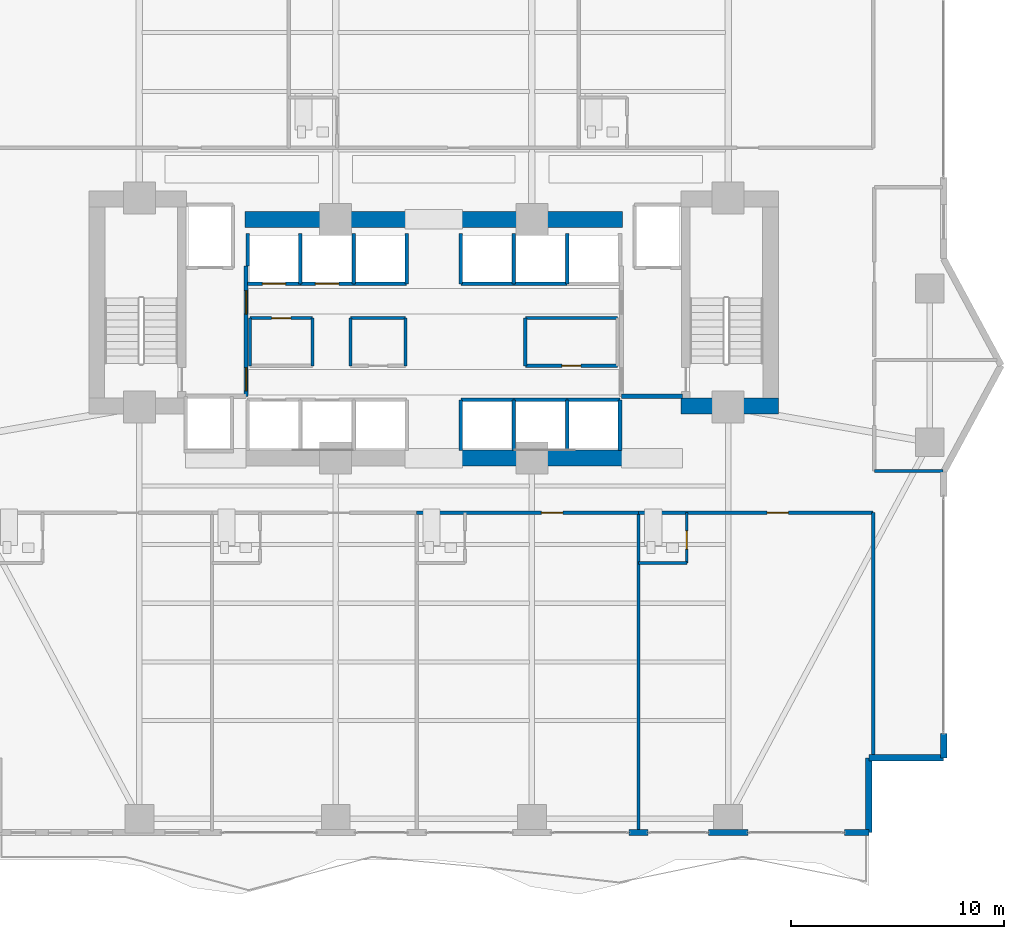
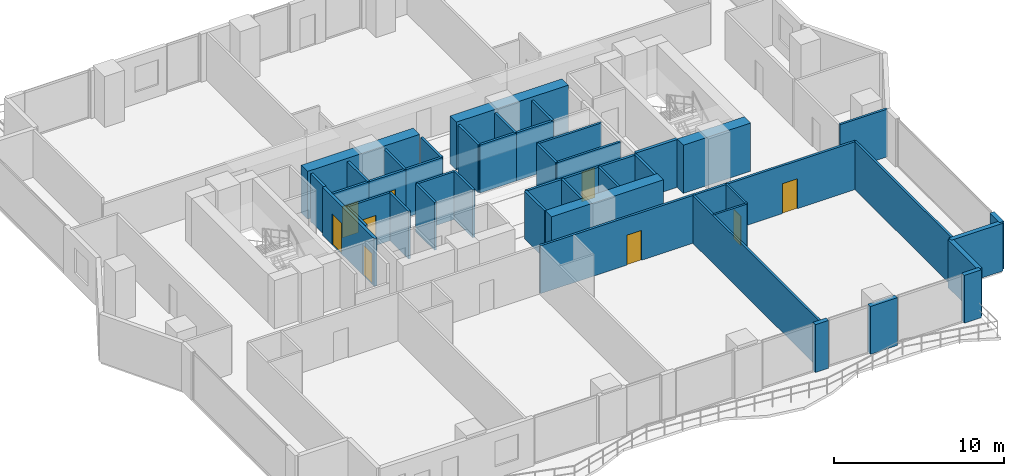
# One storey, part 22 of 28: 47 walls, 9 doors, 9 openings.
"""IFC4 building model written with IfcOpenShell, lengths in metres."""

from ifc_helpers import new_model, si_unit, direction, frame, frame_2d, origin, place, context, subcontext, project, spatial, rectangle, extrude, material, layer, layer_set, type_object, element, fill, save


model = new_model("IFC4")

# Units and contexts
model_context = context("Model", 3, precision=1e-05, world=origin(), true_north=direction((0.0, 1.0)))
body_context = subcontext(model_context, "Body", "Model", "MODEL_VIEW")
ifc_project = project(units=[si_unit("LENGTHUNIT", "METRE"), si_unit("AREAUNIT", "SQUARE_METRE"), si_unit("VOLUMEUNIT", "CUBIC_METRE"), si_unit("PLANEANGLEUNIT", "RADIAN"), si_unit("MASSUNIT", "GRAM", prefix="KILO")], contexts=[model_context])

# Site, building, storey
site_placement = place(None, origin())
site = spatial("IfcSite", under=ifc_project, at=site_placement, CompositionType="ELEMENT")
building_placement = place(site_placement, origin())
building = spatial("IfcBuilding", under=site, at=building_placement, Name="Zuhayl Quay Hotel", CompositionType="ELEMENT")
storey_placement = place(building_placement, frame((0.0, 0.0, 146.75)))
storey = spatial("IfcBuildingStorey", under=building, at=storey_placement, Name="L37", CompositionType="ELEMENT", Elevation=146.75)

# Walls
ifc_material_1 = material(Name="Concrete C60/75", Category="concrete")
ifc_layer_1 = layer(ifc_material_1, 0.75, Name="Concrete C60/75", Category="concrete")
ifc_layer_set_1 = layer_set([ifc_layer_1], Name="Concrete C60/75")
wall_type_1 = type_object("IfcWallType", Name="WL_CORE_750", PredefinedType="SHEAR", material=ifc_layer_set_1)
wall_1_placement = place(storey_placement, frame((11.60009765625, 4.594970703125, 0.0), z_axis=(0.0, 0.0, 1.0), x_axis=(1.0, 0.0, 0.0)))
element("IfcWall", 1, at=wall_1_placement, inside=storey, type_object=wall_type_1, Name="L37 Core Shear Wall CW_SE", PredefinedType="SHEAR", context=body_context, shape_type="SweptSolid", body=[
    extrude(rectangle(XDim=4.559814453125, YDim=0.75, at=frame_2d((2.27978515625, 0.0))), origin(), (0.0, 0.0, 1.0), 3.4599609375),
])
for number, where, z_axis, x_axis, name in (
    (2, (1.25, 2.14990234375, 0.0), (0.0, 0.0, 1.0), (1.0, 0.0, 0.0), "L37 Core Shear Wall CW_SC_E"),
    (3, (-8.85009765625, 13.35009765625, 0.0), (0.0, 0.0, 1.0), (1.0, 0.0, 0.0), "L37 Core Shear Wall CW_NC_W"),
    (4, (1.25, 13.35009765625, 0.0), (0.0, 0.0, 1.0), (1.0, 0.0, 0.0), "L37 Core Shear Wall CW_NC_E"),
):
    element("IfcWall", number, at=place(storey_placement, frame(where, z_axis=z_axis, x_axis=x_axis)), inside=storey, type_object=wall_type_1, Name=name, PredefinedType="SHEAR", context=body_context, shape_type="SweptSolid", body=[
        extrude(rectangle(XDim=7.60009765625, YDim=0.75, at=frame_2d((3.800048828125, 0.0))), origin(), (0.0, 0.0, 1.0), 3.429931640625),
    ])
ifc_material_2 = material(Name="Precast concrete C45/55", Category="concrete")
ifc_layer_2 = layer(ifc_material_2, 0.300048828125, Name="Precast concrete C45/55", Category="concrete")
ifc_layer_set_2 = layer_set([ifc_layer_2], Name="Precast concrete C45/55")
wall_type_2 = type_object("IfcWallType", Name="WL_EXT_300", PredefinedType="STANDARD", material=ifc_layer_set_2)
wall_2_placement = place(storey_placement, frame((23.89990234375, -10.75, 0.0), z_axis=(0.0, 0.0, 1.0), x_axis=(0.0, -1.0, 0.0)))
element("IfcWall", 5, at=wall_2_placement, inside=storey, type_object=wall_type_2, Name="L37 Exterior Precast Wall ENV_L37_E14_EW2", PredefinedType="STANDARD", context=body_context, shape_type="SweptSolid", body=[
    extrude(rectangle(XDim=1.14990234375, YDim=0.300048828125, at=frame_2d((0.574951171875, 0.0))), origin(), (0.0, 0.0, 1.0), 3.429931640625),
])
for number, where, z_axis, x_axis, name in (
    (6, (23.89990234375, -11.89990234375, 0.0), (0.0, 0.0, 1.0), (-1.0, 0.0, 0.0), "L37 Exterior Precast Wall ENV_L37_EW15"),
    (7, (20.39990234375, -11.89990234375, 0.0), (0.0, 0.0, 1.0), (0.0, -1.0, 0.0), "L37 Exterior Precast Wall ENV_L37_EW16"),
):
    element("IfcWall", number, at=place(storey_placement, frame(where, z_axis=z_axis, x_axis=x_axis)), inside=storey, type_object=wall_type_2, Name=name, PredefinedType="STANDARD", context=body_context, shape_type="SweptSolid", body=[
        extrude(rectangle(XDim=3.5, YDim=0.300048828125, at=frame_2d((1.75, 0.0))), origin(), (0.0, 0.0, 1.0), 3.429931640625),
    ])
wall_3_placement = place(storey_placement, frame((20.39990234375, -15.39990234375, 0.0), z_axis=(0.0, 0.0, 1.0), x_axis=(-1.0, 0.0, 0.0)))
element("IfcWall", 8, at=wall_3_placement, inside=storey, type_object=wall_type_2, Name="L37 Exterior Precast Wall ENV_L37_S_EW1", PredefinedType="STANDARD", context=body_context, shape_type="SweptSolid", body=[
    extrude(rectangle(XDim=1.14990234375, YDim=0.300048828125, at=frame_2d((0.574951171875, 0.0))), origin(), (0.0, 0.0, 1.0), 3.429931640625),
])
wall_4_placement = place(storey_placement, frame((14.719970703125, -15.39990234375, 0.0), z_axis=(0.0, 0.0, 1.0), x_axis=(-1.0, 0.0, 0.0)))
element("IfcWall", 9, at=wall_4_placement, inside=storey, type_object=wall_type_2, Name="L37 Exterior Precast Wall ENV_L37_S_EW2", PredefinedType="STANDARD", context=body_context, shape_type="SweptSolid", body=[
    extrude(rectangle(XDim=1.840087890625, YDim=0.300048828125, at=frame_2d((0.919921875, 0.0))), origin(), (0.0, 0.0, 1.0), 3.429931640625),
])
wall_5_placement = place(storey_placement, frame((10.050048828125, -15.39990234375, 0.0), z_axis=(0.0, 0.0, 1.0), x_axis=(-1.0, 0.0, 0.0)))
element("IfcWall", 10, at=wall_5_placement, inside=storey, type_object=wall_type_2, Name="L37 Exterior Precast Wall ENV_L37_S_EW3", PredefinedType="STANDARD", context=body_context, shape_type="SweptSolid", body=[
    extrude(rectangle(XDim=0.900146484375, YDim=0.300048828125, at=frame_2d((0.4501953125, 0.0))), origin(), (0.0, 0.0, 1.0), 3.429931640625),
])

# Wall, opening, door
ifc_material_3 = material(Name="Acoustic Gypsum Partition STC-58")
ifc_layer_3 = layer(ifc_material_3, 0.14990234375, Name="Acoustic Gypsum Partition STC-58")
ifc_layer_set_3 = layer_set([ifc_layer_3], Name="Acoustic Gypsum Partition STC-58")
wall_type_3 = type_object("IfcWallType", Name="WL_PART_150", PredefinedType="PARTITIONING", material=ifc_layer_set_3)
wall_6_placement = place(storey_placement, frame((-8.610107421875, 8.719970703125, 0.0), z_axis=(0.0, 0.0, 1.0), x_axis=(1.0, 0.0, 0.0)))
wall_6 = element("IfcWall", 11, at=wall_6_placement, inside=storey, type_object=wall_type_3, Name="L37 Partition IW_L37_CORE_HK_N", PredefinedType="PARTITIONING", context=body_context, shape_type="SweptSolid", body=[
    extrude(rectangle(XDim=2.920166015625, YDim=0.14990234375, at=frame_2d((1.4599609375, 0.0))), origin(), (0.0, 0.0, 1.0), 3.429931640625),
])
opening_1_placement = place(wall_6_placement, frame((1.010009765625, 0.0, 0.0)))
opening_1 = element("IfcOpeningElement", 12, at=opening_1_placement, cuts=wall_6, Name="Opening D06", PredefinedType="OPENING", context=body_context, shape_type="SweptSolid", body=[
    extrude(rectangle(XDim=0.89990234375, YDim=2.14990234375, at=frame_2d((0.449951171875, 1.074951171875))), frame((0.0, 0.0849609375, 0.0), z_axis=(0.0, -1.0, 0.0), x_axis=(1.0, 0.0, 0.0)), (0.0, 0.0, 1.0), 0.169921875),
])
ifc_material_4 = material(Name="Steel ASTM A992 Grade 50", Category="steel")
door_type_1 = type_object("IfcDoorType", Name="DR_INT_900", OperationType="NOTDEFINED", PredefinedType="DOOR", material=ifc_material_4)
door_1_placement = place(opening_1_placement, origin())
door_1 = element("IfcDoor", 13, at=door_1_placement, inside=storey, type_object=door_type_1, Name="L37 Core Housekeeping Store Door", OperationType="SINGLE_SWING_LEFT", OverallHeight=2.14990234375, OverallWidth=0.89990234375, PredefinedType="DOOR", context=body_context, shape_type="SweptSolid", body=[
    extrude(rectangle(XDim=0.89990234375, YDim=2.14990234375, at=frame_2d((0.449951171875, 1.074951171875))), frame((0.0, 0.02490234375, 0.0), z_axis=(0.0, -1.0, 0.0), x_axis=(1.0, 0.0, 0.0)), (0.0, 0.0, 1.0), 0.050048828125),
])
fill(opening_1, door_1)

wall_7_placement = place(storey_placement, frame((4.2900390625, 6.47998046875, 0.0), z_axis=(0.0, 0.0, 1.0), x_axis=(1.0, 0.0, 0.0)))
wall_7 = element("IfcWall", 14, at=wall_7_placement, inside=storey, type_object=wall_type_3, Name="L37 Partition IW_L37_CORE_VL_S", PredefinedType="PARTITIONING", context=body_context, shape_type="SweptSolid", body=[
    extrude(rectangle(XDim=4.320068359375, YDim=0.14990234375, at=frame_2d((2.16015625, 0.0))), origin(), (0.0, 0.0, 1.0), 3.429931640625),
])
opening_2_placement = place(wall_7_placement, frame((1.7099609375, 0.0, 0.0)))
opening_2 = element("IfcOpeningElement", 15, at=opening_2_placement, cuts=wall_7, Name="Opening D06", PredefinedType="OPENING", context=body_context, shape_type="SweptSolid", body=[
    extrude(rectangle(XDim=0.89990234375, YDim=2.14990234375, at=frame_2d((0.449951171875, 1.074951171875))), frame((0.0, 0.0849609375, 0.0), z_axis=(0.0, -1.0, 0.0), x_axis=(1.0, 0.0, 0.0)), (0.0, 0.0, 1.0), 0.169921875),
])
door_2_placement = place(opening_2_placement, origin())
door_2 = element("IfcDoor", 16, at=door_2_placement, inside=storey, type_object=door_type_1, Name="L37 Floor Valet Store Door", OperationType="SINGLE_SWING_LEFT", OverallHeight=2.14990234375, OverallWidth=0.89990234375, PredefinedType="DOOR", context=body_context, shape_type="SweptSolid", body=[
    extrude(rectangle(XDim=0.89990234375, YDim=2.14990234375, at=frame_2d((0.449951171875, 1.074951171875))), frame((0.0, 0.02490234375, 0.0), z_axis=(0.0, -1.0, 0.0), x_axis=(1.0, 0.0, 0.0)), (0.0, 0.0, 1.0), 0.050048828125),
])
fill(opening_2, door_2)

# Walls
for number, where, z_axis, x_axis, name in (
    (17, (-8.610107421875, 6.47998046875, 0.0), (0.0, 0.0, 1.0), (0.0, 1.0, 0.0), "L37 Partition IW_L37_CORE_HK_W"),
    (18, (-5.68994140625, 6.47998046875, 0.0), (0.0, 0.0, 1.0), (0.0, 1.0, 0.0), "L37 Partition IW_L37_CORE_HK_E"),
):
    element("IfcWall", number, at=place(storey_placement, frame(where, z_axis=z_axis, x_axis=x_axis)), inside=storey, type_object=wall_type_3, Name=name, PredefinedType="PARTITIONING", context=body_context, shape_type="SweptSolid", body=[
        extrude(rectangle(XDim=2.239990234375, YDim=0.14990234375, at=frame_2d((1.1201171875, 0.0))), origin(), (0.0, 0.0, 1.0), 3.429931640625),
    ])
wall_8_placement = place(storey_placement, frame((-3.909912109375, 8.719970703125, 0.0), z_axis=(0.0, 0.0, 1.0), x_axis=(1.0, 0.0, 0.0)))
element("IfcWall", 19, at=wall_8_placement, inside=storey, type_object=wall_type_3, Name="L37 Partition IW_L37_CORE_BC_N", PredefinedType="PARTITIONING", context=body_context, shape_type="SweptSolid", body=[
    extrude(rectangle(XDim=2.58984375, YDim=0.14990234375, at=frame_2d((1.294921875, 0.0))), origin(), (0.0, 0.0, 1.0), 3.429931640625),
])
for number, where, z_axis, x_axis, name in (
    (20, (-3.909912109375, 6.47998046875, 0.0), (0.0, 0.0, 1.0), (0.0, 1.0, 0.0), "L37 Partition IW_L37_CORE_BC_W"),
    (21, (-1.320068359375, 6.47998046875, 0.0), (0.0, 0.0, 1.0), (0.0, 1.0, 0.0), "L37 Partition IW_L37_CORE_BC_E"),
):
    element("IfcWall", number, at=place(storey_placement, frame(where, z_axis=z_axis, x_axis=x_axis)), inside=storey, type_object=wall_type_3, Name=name, PredefinedType="PARTITIONING", context=body_context, shape_type="SweptSolid", body=[
        extrude(rectangle(XDim=2.239990234375, YDim=0.14990234375, at=frame_2d((1.1201171875, 0.0))), origin(), (0.0, 0.0, 1.0), 3.429931640625),
    ])
wall_9_placement = place(storey_placement, frame((4.2900390625, 8.719970703125, 0.0), z_axis=(0.0, 0.0, 1.0), x_axis=(1.0, 0.0, 0.0)))
element("IfcWall", 22, at=wall_9_placement, inside=storey, type_object=wall_type_3, Name="L37 Partition IW_L37_CORE_VL_N", PredefinedType="PARTITIONING", context=body_context, shape_type="SweptSolid", body=[
    extrude(rectangle(XDim=4.320068359375, YDim=0.14990234375, at=frame_2d((2.16015625, 0.0))), origin(), (0.0, 0.0, 1.0), 3.429931640625),
])
wall_10_placement = place(storey_placement, frame((4.2900390625, 6.47998046875, 0.0), z_axis=(0.0, 0.0, 1.0), x_axis=(0.0, 1.0, 0.0)))
element("IfcWall", 23, at=wall_10_placement, inside=storey, type_object=wall_type_3, Name="L37 Partition IW_L37_CORE_VL_W", PredefinedType="PARTITIONING", context=body_context, shape_type="SweptSolid", body=[
    extrude(rectangle(XDim=2.239990234375, YDim=0.14990234375, at=frame_2d((1.1201171875, 0.0))), origin(), (0.0, 0.0, 1.0), 3.429931640625),
])
wall_11_placement = place(storey_placement, frame((9.60009765625, -15.320068359375, 0.0), z_axis=(0.0, 0.0, 1.0), x_axis=(0.0, 1.0, 0.0)))
element("IfcWall", 24, at=wall_11_placement, inside=storey, type_object=wall_type_3, Name="L37 Partition IW_L37_SU03_E", PredefinedType="PARTITIONING", context=body_context, shape_type="SweptSolid", body=[
    extrude(rectangle(XDim=14.920166015625, YDim=0.14990234375, at=frame_2d((7.4599609375, 0.0))), origin(), (0.0, 0.0, 1.0), 3.429931640625),
])
wall_12_placement = place(storey_placement, frame((20.60009765625, -11.89990234375, 0.0), z_axis=(0.0, 0.0, 1.0), x_axis=(0.0, 1.0, 0.0)))
element("IfcWall", 25, at=wall_12_placement, inside=storey, type_object=wall_type_3, Name="L37 Partition IW_L37_SU04_E", PredefinedType="PARTITIONING", context=body_context, shape_type="SweptSolid", body=[
    extrude(rectangle(XDim=11.5, YDim=0.14990234375, at=frame_2d((5.75, 0.0))), origin(), (0.0, 0.0, 1.0), 3.429931640625),
])
wall_13_placement = place(storey_placement, frame((20.64990234375, 1.550048828125, 0.0), z_axis=(0.0, 0.0, 1.0), x_axis=(1.0, 0.0, 0.0)))
element("IfcWall", 26, at=wall_13_placement, inside=storey, type_object=wall_type_3, Name="L37 Partition IW_L37_HK_MAIN_S", PredefinedType="PARTITIONING", context=body_context, shape_type="SweptSolid", body=[
    extrude(rectangle(XDim=3.217041015625, YDim=0.14990234375, at=frame_2d((1.6083984375, 0.0))), origin(), (0.0, 0.0, 1.0), 3.429931640625),
])

# Wall, opening, door
ifc_layer_4 = layer(ifc_material_3, 0.159912109375, Name="Acoustic Gypsum Partition STC-58")
ifc_layer_set_4 = layer_set([ifc_layer_4], Name="Acoustic Gypsum Partition STC-58")
wall_type_4 = type_object("IfcWallType", Name="WL_PART_CORR_160", PredefinedType="PARTITIONING", material=ifc_layer_set_4)
wall_14_placement = place(storey_placement, frame((-0.800048828125, -0.39990234375, 0.0), z_axis=(0.0, 0.0, 1.0), x_axis=(1.0, 0.0, 0.0)))
wall_14 = element("IfcWall", 27, at=wall_14_placement, inside=storey, type_object=wall_type_4, Name="L37 Partition IW_L37_SU03_COR", PredefinedType="PARTITIONING", context=body_context, shape_type="SweptSolid", body=[
    extrude(rectangle(XDim=10.400146484375, YDim=0.159912109375, at=frame_2d((5.2001953125, 0.0))), origin(), (0.0, 0.0, 1.0), 3.429931640625),
])
opening_3_placement = place(wall_14_placement, frame((5.85009765625, 0.0, 0.0)))
opening_3 = element("IfcOpeningElement", 28, at=opening_3_placement, cuts=wall_14, Name="Opening D03L", PredefinedType="OPENING", context=body_context, shape_type="SweptSolid", body=[
    extrude(rectangle(XDim=1.0, YDim=2.14990234375, at=frame_2d((0.5, 1.074951171875))), frame((0.0, 0.08984375, 0.0), z_axis=(0.0, -1.0, 0.0), x_axis=(1.0, 0.0, 0.0)), (0.0, 0.0, 1.0), 0.179931640625),
])
ifc_material_5 = material(Name="Solid Walnut Acoustic Fire Door")
door_type_2 = type_object("IfcDoorType", Name="DR_SUITE_1000", OperationType="NOTDEFINED", PredefinedType="DOOR", material=ifc_material_5)
door_3_placement = place(opening_3_placement, origin())
door_3 = element("IfcDoor", 29, at=door_3_placement, inside=storey, type_object=door_type_2, Name="L37 City-View Junior Suite L37-03 Entrance Door", OperationType="SINGLE_SWING_RIGHT", OverallHeight=2.14990234375, OverallWidth=1.0, PredefinedType="DOOR", context=body_context, shape_type="SweptSolid", body=[
    extrude(rectangle(XDim=1.0, YDim=2.14990234375, at=frame_2d((0.5, 1.074951171875))), frame((0.0, 0.02490234375, 0.0), z_axis=(0.0, -1.0, 0.0), x_axis=(1.0, 0.0, 0.0)), (0.0, 0.0, 1.0), 0.050048828125),
])
fill(opening_3, door_3)

wall_15_placement = place(storey_placement, frame((9.60009765625, -0.39990234375, 0.0), z_axis=(0.0, 0.0, 1.0), x_axis=(1.0, 0.0, 0.0)))
wall_15 = element("IfcWall", 30, at=wall_15_placement, inside=storey, type_object=wall_type_4, Name="L37 Partition IW_L37_SU04_COR", PredefinedType="PARTITIONING", context=body_context, shape_type="SweptSolid", body=[
    extrude(rectangle(XDim=11.0, YDim=0.159912109375, at=frame_2d((5.5, 0.0))), origin(), (0.0, 0.0, 1.0), 3.429931640625),
])
opening_4_placement = place(wall_15_placement, frame((6.02490234375, 0.0, 0.0)))
opening_4 = element("IfcOpeningElement", 31, at=opening_4_placement, cuts=wall_15, Name="Opening D03L", PredefinedType="OPENING", context=body_context, shape_type="SweptSolid", body=[
    extrude(rectangle(XDim=1.0, YDim=2.14990234375, at=frame_2d((0.5, 1.074951171875))), frame((0.0, 0.08984375, 0.0), z_axis=(0.0, -1.0, 0.0), x_axis=(1.0, 0.0, 0.0)), (0.0, 0.0, 1.0), 0.179931640625),
])
door_4_placement = place(opening_4_placement, origin())
door_4 = element("IfcDoor", 32, at=door_4_placement, inside=storey, type_object=door_type_2, Name="L37 City-View Junior Suite L37-04 Entrance Door", OperationType="SINGLE_SWING_RIGHT", OverallHeight=2.14990234375, OverallWidth=1.0, PredefinedType="DOOR", context=body_context, shape_type="SweptSolid", body=[
    extrude(rectangle(XDim=1.0, YDim=2.14990234375, at=frame_2d((0.5, 1.074951171875))), frame((0.0, 0.02490234375, 0.0), z_axis=(0.0, -1.0, 0.0), x_axis=(1.0, 0.0, 0.0)), (0.0, 0.0, 1.0), 0.050048828125),
])
fill(opening_4, door_4)

ifc_material_6 = material(Name="Moisture-Resistant Sanitarychase Gypsum")
ifc_layer_5 = layer(ifc_material_6, 0.135009765625, Name="Moisture-Resistant Sanitarychase Gypsum")
ifc_layer_set_5 = layer_set([ifc_layer_5], Name="Moisture-Resistant Sanitarychase Gypsum")
wall_type_5 = type_object("IfcWallType", Name="WL_PART_PLUMB_150", PredefinedType="PLUMBINGWALL", material=ifc_layer_set_5)
wall_16_placement = place(storey_placement, frame((11.860107421875, -2.760009765625, 0.0), z_axis=(0.0, 0.0, 1.0), x_axis=(0.0, 1.0, 0.0)))
wall_16 = element("IfcWall", 33, at=wall_16_placement, inside=storey, type_object=wall_type_5, Name="L37 Partition IW_L37_SU04_BE", PredefinedType="PLUMBINGWALL", context=body_context, shape_type="SweptSolid", body=[
    extrude(rectangle(XDim=2.360107421875, YDim=0.135009765625, at=frame_2d((1.18017578125, 0.0))), origin(), (0.0, 0.0, 1.0), 3.429931640625),
])
opening_5_placement = place(wall_16_placement, frame((0.64990234375, 0.0, 0.0)))
opening_5 = element("IfcOpeningElement", 34, at=opening_5_placement, cuts=wall_16, Name="Opening D04", PredefinedType="OPENING", context=body_context, shape_type="SweptSolid", body=[
    extrude(rectangle(XDim=0.85009765625, YDim=2.10009765625, at=frame_2d((0.425048828125, 1.050048828125))), frame((0.0, 0.077392578125, 0.0), z_axis=(0.0, -1.0, 0.0), x_axis=(1.0, 0.0, 0.0)), (0.0, 0.0, 1.0), 0.155029296875),
])
ifc_material_7 = material(Name="Moisture-Resistant Walnut Veneer")
door_type_3 = type_object("IfcDoorType", Name="DR_BATH_850", OperationType="NOTDEFINED", PredefinedType="DOOR", material=ifc_material_7)
door_5_placement = place(opening_5_placement, origin())
door_5 = element("IfcDoor", 35, at=door_5_placement, inside=storey, type_object=door_type_3, Name="L37 City-View Junior Suite L37-04 En-Suite Door", OperationType="SINGLE_SWING_LEFT", OverallHeight=2.10009765625, OverallWidth=0.85009765625, PredefinedType="DOOR", context=body_context, shape_type="SweptSolid", body=[
    extrude(rectangle(XDim=0.85009765625, YDim=2.10009765625, at=frame_2d((0.425048828125, 1.050048828125))), frame((0.0, 0.02490234375, 0.0), z_axis=(0.0, -1.0, 0.0), x_axis=(1.0, 0.0, 0.0)), (0.0, 0.0, 1.0), 0.050048828125),
])
fill(opening_5, door_5)

# Wall
wall_17_placement = place(storey_placement, frame((9.60009765625, -2.760009765625, 0.0), z_axis=(0.0, 0.0, 1.0), x_axis=(1.0, 0.0, 0.0)))
element("IfcWall", 36, at=wall_17_placement, inside=storey, type_object=wall_type_5, Name="L37 Partition IW_L37_SU04_BS", PredefinedType="PLUMBINGWALL", context=body_context, shape_type="SweptSolid", body=[
    extrude(rectangle(XDim=2.260009765625, YDim=0.135009765625, at=frame_2d((1.1298828125, 0.0))), origin(), (0.0, 0.0, 1.0), 3.429931640625),
])

# Wall, opening, door
ifc_material_8 = material(Name="Gypsum Fireboard Assembly EI-90")
ifc_layer_6 = layer(ifc_material_8, 0.1650390625, Name="Gypsum Fireboard Assembly EI-90")
ifc_layer_set_6 = layer_set([ifc_layer_6], Name="Gypsum Fireboard Assembly EI-90")
wall_type_6 = type_object("IfcWallType", Name="WL_PART_SHAFT_160", PredefinedType="PARTITIONING", material=ifc_layer_set_6)
wall_18_placement = place(storey_placement, frame((-8.72998046875, 10.320068359375, 0.0), z_axis=(0.0, 0.0, 1.0), x_axis=(1.0, 0.0, 0.0)))
wall_18 = element("IfcWall", 37, at=wall_18_placement, inside=storey, type_object=wall_type_6, Name="L37 Partition IW_L37_SH_LP3_F", PredefinedType="PARTITIONING", context=body_context, shape_type="SweptSolid", body=[
    extrude(rectangle(XDim=2.47998046875, YDim=0.1650390625, at=frame_2d((1.239990234375, 0.0))), origin(), (0.0, 0.0, 1.0), 3.429931640625),
])
opening_6_placement = place(wall_18_placement, frame((0.68994140625, 0.0, 0.0)))
opening_6 = element("IfcOpeningElement", 38, at=opening_6_placement, cuts=wall_18, Name="Opening LD1", PredefinedType="OPENING", context=body_context, shape_type="SweptSolid", body=[
    extrude(rectangle(XDim=1.10009765625, YDim=2.25, at=frame_2d((0.550048828125, 1.125))), frame((0.0, 0.092529296875, 0.0), z_axis=(0.0, -1.0, 0.0), x_axis=(1.0, 0.0, 0.0)), (0.0, 0.0, 1.0), 0.18505859375),
])
ifc_material_9 = material(Name="Brushed Stainless Steel", Category="steel")
door_type_4 = type_object("IfcDoorType", Name="DR_LIFT_PASS_1100", OperationType="SLIDING_TO_LEFT", PredefinedType="DOOR", material=ifc_material_9)
door_6_placement = place(opening_6_placement, origin())
door_6 = element("IfcDoor", 39, at=door_6_placement, inside=storey, type_object=door_type_4, Name="L37 Lift LP3 Sliding Landing Door", OperationType="SLIDING_TO_LEFT", OverallHeight=2.25, OverallWidth=1.10009765625, PredefinedType="DOOR", context=body_context, shape_type="SweptSolid", body=[
    extrude(rectangle(XDim=1.10009765625, YDim=2.25, at=frame_2d((0.550048828125, 1.125))), frame((0.0, 0.02490234375, 0.0), z_axis=(0.0, -1.0, 0.0), x_axis=(1.0, 0.0, 0.0)), (0.0, 0.0, 1.0), 0.050048828125),
])
fill(opening_6, door_6)

wall_19_placement = place(storey_placement, frame((-6.25, 10.320068359375, 0.0), z_axis=(0.0, 0.0, 1.0), x_axis=(1.0, 0.0, 0.0)))
wall_19 = element("IfcWall", 40, at=wall_19_placement, inside=storey, type_object=wall_type_6, Name="L37 Partition IW_L37_SH_LP4_F", PredefinedType="PARTITIONING", context=body_context, shape_type="SweptSolid", body=[
    extrude(rectangle(XDim=2.5, YDim=0.1650390625, at=frame_2d((1.25, 0.0))), origin(), (0.0, 0.0, 1.0), 3.429931640625),
])
opening_7_placement = place(wall_19_placement, frame((0.699951171875, 0.0, 0.0)))
opening_7 = element("IfcOpeningElement", 41, at=opening_7_placement, cuts=wall_19, Name="Opening LD1", PredefinedType="OPENING", context=body_context, shape_type="SweptSolid", body=[
    extrude(rectangle(XDim=1.10009765625, YDim=2.25, at=frame_2d((0.550048828125, 1.125))), frame((0.0, 0.092529296875, 0.0), z_axis=(0.0, -1.0, 0.0), x_axis=(1.0, 0.0, 0.0)), (0.0, 0.0, 1.0), 0.18505859375),
])
door_7_placement = place(opening_7_placement, origin())
door_7 = element("IfcDoor", 42, at=door_7_placement, inside=storey, type_object=door_type_4, Name="L37 Lift LP4 Sliding Landing Door", OperationType="SLIDING_TO_LEFT", OverallHeight=2.25, OverallWidth=1.10009765625, PredefinedType="DOOR", context=body_context, shape_type="SweptSolid", body=[
    extrude(rectangle(XDim=1.10009765625, YDim=2.25, at=frame_2d((0.550048828125, 1.125))), frame((0.0, 0.02490234375, 0.0), z_axis=(0.0, -1.0, 0.0), x_axis=(1.0, 0.0, 0.0)), (0.0, 0.0, 1.0), 0.050048828125),
])
fill(opening_7, door_7)

# Walls
wall_20_placement = place(storey_placement, frame((-8.72998046875, 11.14990234375, 0.0), z_axis=(0.0, 0.0, 1.0), x_axis=(0.0, 1.0, 0.0)))
element("IfcWall", 43, at=wall_20_placement, inside=storey, type_object=wall_type_6, Name="L37 Partition IW_L37_SH_LP3_W", PredefinedType="PARTITIONING", context=body_context, shape_type="SweptSolid", body=[
    extrude(rectangle(XDim=1.530029296875, YDim=0.1650390625, at=frame_2d((0.76513671875, 0.0))), origin(), (0.0, 0.0, 1.0), 3.429931640625),
])
for number, where, z_axis, x_axis, name in (
    (44, (-6.25, 10.320068359375, 0.0), (0.0, 0.0, 1.0), (0.0, 1.0, 0.0), "L37 Partition IW_L37_SH_LP3_E"),
    (45, (-3.75, 10.320068359375, 0.0), (0.0, 0.0, 1.0), (0.0, 1.0, 0.0), "L37 Partition IW_L37_SH_LP4_E"),
):
    element("IfcWall", number, at=place(storey_placement, frame(where, z_axis=z_axis, x_axis=x_axis)), inside=storey, type_object=wall_type_6, Name=name, PredefinedType="PARTITIONING", context=body_context, shape_type="SweptSolid", body=[
        extrude(rectangle(XDim=2.35986328125, YDim=0.1650390625, at=frame_2d((1.179931640625, 0.0))), origin(), (0.0, 0.0, 1.0), 3.429931640625),
    ])
wall_21_placement = place(storey_placement, frame((1.27001953125, 4.8798828125, 0.0), z_axis=(0.0, 0.0, 1.0), x_axis=(1.0, 0.0, 0.0)))
element("IfcWall", 46, at=wall_21_placement, inside=storey, type_object=wall_type_6, Name="L37 Partition IW_L37_SH_MP2_F", PredefinedType="PARTITIONING", context=body_context, shape_type="SweptSolid", body=[
    extrude(rectangle(XDim=2.47998046875, YDim=0.1650390625, at=frame_2d((1.239990234375, 0.0))), origin(), (0.0, 0.0, 1.0), 3.429931640625),
])
for number, where, z_axis, x_axis, name in (
    (47, (1.27001953125, 2.52001953125, 0.0), (0.0, 0.0, 1.0), (0.0, 1.0, 0.0), "L37 Partition IW_L37_SH_MP2_W"),
    (48, (3.75, 2.52001953125, 0.0), (0.0, 0.0, 1.0), (0.0, 1.0, 0.0), "L37 Partition IW_L37_SH_MP2_E"),
):
    element("IfcWall", number, at=place(storey_placement, frame(where, z_axis=z_axis, x_axis=x_axis)), inside=storey, type_object=wall_type_6, Name=name, PredefinedType="PARTITIONING", context=body_context, shape_type="SweptSolid", body=[
        extrude(rectangle(XDim=2.35986328125, YDim=0.1650390625, at=frame_2d((1.179931640625, 0.0))), origin(), (0.0, 0.0, 1.0), 3.429931640625),
    ])
wall_22_placement = place(storey_placement, frame((-3.75, 10.320068359375, 0.0), z_axis=(0.0, 0.0, 1.0), x_axis=(1.0, 0.0, 0.0)))
element("IfcWall", 49, at=wall_22_placement, inside=storey, type_object=wall_type_6, Name="L37 Partition IW_L37_SH_MP3_F", PredefinedType="PARTITIONING", context=body_context, shape_type="SweptSolid", body=[
    extrude(rectangle(XDim=2.47998046875, YDim=0.1650390625, at=frame_2d((1.239990234375, 0.0))), origin(), (0.0, 0.0, 1.0), 3.429931640625),
])
wall_23_placement = place(storey_placement, frame((-1.27001953125, 10.320068359375, 0.0), z_axis=(0.0, 0.0, 1.0), x_axis=(0.0, 1.0, 0.0)))
element("IfcWall", 50, at=wall_23_placement, inside=storey, type_object=wall_type_6, Name="L37 Partition IW_L37_SH_MP3_E", PredefinedType="PARTITIONING", context=body_context, shape_type="SweptSolid", body=[
    extrude(rectangle(XDim=2.35986328125, YDim=0.1650390625, at=frame_2d((1.179931640625, 0.0))), origin(), (0.0, 0.0, 1.0), 3.429931640625),
])
wall_24_placement = place(storey_placement, frame((1.27001953125, 10.320068359375, 0.0), z_axis=(0.0, 0.0, 1.0), x_axis=(1.0, 0.0, 0.0)))
element("IfcWall", 51, at=wall_24_placement, inside=storey, type_object=wall_type_6, Name="L37 Partition IW_L37_SH_MP4_F", PredefinedType="PARTITIONING", context=body_context, shape_type="SweptSolid", body=[
    extrude(rectangle(XDim=2.47998046875, YDim=0.1650390625, at=frame_2d((1.239990234375, 0.0))), origin(), (0.0, 0.0, 1.0), 3.429931640625),
])
for number, where, z_axis, x_axis, name in (
    (52, (1.27001953125, 10.320068359375, 0.0), (0.0, 0.0, 1.0), (0.0, 1.0, 0.0), "L37 Partition IW_L37_SH_MP4_W"),
    (53, (3.75, 10.320068359375, 0.0), (0.0, 0.0, 1.0), (0.0, 1.0, 0.0), "L37 Partition IW_L37_SH_MP4_E"),
):
    element("IfcWall", number, at=place(storey_placement, frame(where, z_axis=z_axis, x_axis=x_axis)), inside=storey, type_object=wall_type_6, Name=name, PredefinedType="PARTITIONING", context=body_context, shape_type="SweptSolid", body=[
        extrude(rectangle(XDim=2.35986328125, YDim=0.1650390625, at=frame_2d((1.179931640625, 0.0))), origin(), (0.0, 0.0, 1.0), 3.429931640625),
    ])
wall_25_placement = place(storey_placement, frame((3.75, 4.8798828125, 0.0), z_axis=(0.0, 0.0, 1.0), x_axis=(1.0, 0.0, 0.0)))
element("IfcWall", 54, at=wall_25_placement, inside=storey, type_object=wall_type_6, Name="L37 Partition IW_L37_SH_HP1_F", PredefinedType="PARTITIONING", context=body_context, shape_type="SweptSolid", body=[
    extrude(rectangle(XDim=2.5, YDim=0.1650390625, at=frame_2d((1.25, 0.0))), origin(), (0.0, 0.0, 1.0), 3.429931640625),
])
wall_26_placement = place(storey_placement, frame((6.25, 2.52001953125, 0.0), z_axis=(0.0, 0.0, 1.0), x_axis=(0.0, 1.0, 0.0)))
element("IfcWall", 55, at=wall_26_placement, inside=storey, type_object=wall_type_6, Name="L37 Partition IW_L37_SH_HP1_E", PredefinedType="PARTITIONING", context=body_context, shape_type="SweptSolid", body=[
    extrude(rectangle(XDim=2.35986328125, YDim=0.1650390625, at=frame_2d((1.179931640625, 0.0))), origin(), (0.0, 0.0, 1.0), 3.429931640625),
])
wall_27_placement = place(storey_placement, frame((6.25, 4.8798828125, 0.0), z_axis=(0.0, 0.0, 1.0), x_axis=(1.0, 0.0, 0.0)))
element("IfcWall", 56, at=wall_27_placement, inside=storey, type_object=wall_type_6, Name="L37 Partition IW_L37_SH_HP2_F", PredefinedType="PARTITIONING", context=body_context, shape_type="SweptSolid", body=[
    extrude(rectangle(XDim=2.47998046875, YDim=0.1650390625, at=frame_2d((1.239990234375, 0.0))), origin(), (0.0, 0.0, 1.0), 3.429931640625),
])
wall_28_placement = place(storey_placement, frame((8.72998046875, 2.52001953125, 0.0), z_axis=(0.0, 0.0, 1.0), x_axis=(0.0, 1.0, 0.0)))
element("IfcWall", 57, at=wall_28_placement, inside=storey, type_object=wall_type_6, Name="L37 Partition IW_L37_SH_HP2_E", PredefinedType="PARTITIONING", context=body_context, shape_type="SweptSolid", body=[
    extrude(rectangle(XDim=2.35986328125, YDim=0.1650390625, at=frame_2d((1.179931640625, 0.0))), origin(), (0.0, 0.0, 1.0), 3.429931640625),
])
wall_29_placement = place(storey_placement, frame((3.75, 10.320068359375, 0.0), z_axis=(0.0, 0.0, 1.0), x_axis=(1.0, 0.0, 0.0)))
element("IfcWall", 58, at=wall_29_placement, inside=storey, type_object=wall_type_6, Name="L37 Partition IW_L37_SH_HP3_F", PredefinedType="PARTITIONING", context=body_context, shape_type="SweptSolid", body=[
    extrude(rectangle(XDim=2.5, YDim=0.1650390625, at=frame_2d((1.25, 0.0))), origin(), (0.0, 0.0, 1.0), 3.429931640625),
])
wall_30_placement = place(storey_placement, frame((6.25, 10.320068359375, 0.0), z_axis=(0.0, 0.0, 1.0), x_axis=(0.0, 1.0, 0.0)))
element("IfcWall", 59, at=wall_30_placement, inside=storey, type_object=wall_type_6, Name="L37 Partition IW_L37_SH_HP3_E", PredefinedType="PARTITIONING", context=body_context, shape_type="SweptSolid", body=[
    extrude(rectangle(XDim=2.35986328125, YDim=0.1650390625, at=frame_2d((1.179931640625, 0.0))), origin(), (0.0, 0.0, 1.0), 3.429931640625),
])

# Wall, openings, doors
ifc_material_10 = material(Name="Gypsum Fireboard Assembly EI-120")
ifc_layer_7 = layer(ifc_material_10, 0.199951171875, Name="Gypsum Fireboard Assembly EI-120")
ifc_layer_set_7 = layer_set([ifc_layer_7], Name="Gypsum Fireboard Assembly EI-120")
wall_type_7 = type_object("IfcWallType", Name="WL_PART_SHAFT_200", PredefinedType="PARTITIONING", material=ifc_layer_set_7)
wall_31_placement = place(storey_placement, frame((-8.800048828125, 5.050048828125, 0.0), z_axis=(0.0, 0.0, 1.0), x_axis=(0.0, 1.0, 0.0)))
wall_31 = element("IfcWall", 60, at=wall_31_placement, inside=storey, type_object=wall_type_7, Name="L37 Partition IW_L37_FSAE_W_E", PredefinedType="PARTITIONING", context=body_context, shape_type="SweptSolid", body=[
    extrude(rectangle(XDim=6.099853515625, YDim=0.199951171875, at=frame_2d((3.0498046875, 0.0))), origin(), (0.0, 0.0, 1.0), 3.429931640625),
])
opening_8_placement = place(wall_31_placement, frame((0.25, 0.0, 0.0)))
opening_8 = element("IfcOpeningElement", 61, at=opening_8_placement, cuts=wall_31, Name="Opening D02", PredefinedType="OPENING", context=body_context, shape_type="SweptSolid", body=[
    extrude(rectangle(XDim=1.10009765625, YDim=2.199951171875, at=frame_2d((0.550048828125, 1.10009765625))), frame((0.0, 0.10986328125, 0.0), z_axis=(0.0, -1.0, 0.0), x_axis=(1.0, 0.0, 0.0)), (0.0, 0.0, 1.0), 0.219970703125),
])
opening_9_placement = place(wall_31_placement, frame((3.85009765625, 0.0, 0.0)))
opening_9 = element("IfcOpeningElement", 62, at=opening_9_placement, cuts=wall_31, Name="Opening D02", PredefinedType="OPENING", context=body_context, shape_type="SweptSolid", body=[
    extrude(rectangle(XDim=1.10009765625, YDim=2.199951171875, at=frame_2d((0.550048828125, 1.10009765625))), frame((0.0, 0.10986328125, 0.0), z_axis=(0.0, -1.0, 0.0), x_axis=(1.0, 0.0, 0.0)), (0.0, 0.0, 1.0), 0.219970703125),
])
door_type_5 = type_object("IfcDoorType", Name="DR_FIRE_90_1100", OperationType="NOTDEFINED", PredefinedType="DOOR", material=ifc_material_4)
door_8_placement = place(opening_8_placement, origin())
door_8 = element("IfcDoor", 63, at=door_8_placement, inside=storey, type_object=door_type_5, Name="L37 FSAE Lobby West South Entry Door", OperationType="SINGLE_SWING_LEFT", OverallHeight=2.199951171875, OverallWidth=1.10009765625, PredefinedType="DOOR", context=body_context, shape_type="SweptSolid", body=[
    extrude(rectangle(XDim=1.10009765625, YDim=2.199951171875, at=frame_2d((0.550048828125, 1.10009765625))), frame((0.0, 0.02490234375, 0.0), z_axis=(0.0, -1.0, 0.0), x_axis=(1.0, 0.0, 0.0)), (0.0, 0.0, 1.0), 0.050048828125),
])
fill(opening_8, door_8)
door_9_placement = place(opening_9_placement, origin())
door_9 = element("IfcDoor", 64, at=door_9_placement, inside=storey, type_object=door_type_5, Name="L37 FSAE Lobby West North Entry Door", OperationType="SINGLE_SWING_RIGHT", OverallHeight=2.199951171875, OverallWidth=1.10009765625, PredefinedType="DOOR", context=body_context, shape_type="SweptSolid", body=[
    extrude(rectangle(XDim=1.10009765625, YDim=2.199951171875, at=frame_2d((0.550048828125, 1.10009765625))), frame((0.0, 0.02490234375, 0.0), z_axis=(0.0, -1.0, 0.0), x_axis=(1.0, 0.0, 0.0)), (0.0, 0.0, 1.0), 0.050048828125),
])
fill(opening_9, door_9)

# Wall
wall_32_placement = place(storey_placement, frame((8.800048828125, 5.050048828125, 0.0), z_axis=(0.0, 0.0, 1.0), x_axis=(1.0, 0.0, 0.0)))
element("IfcWall", 65, at=wall_32_placement, inside=storey, type_object=wall_type_7, Name="L37 Partition IW_L37_FSAE_E_S", PredefinedType="PARTITIONING", context=body_context, shape_type="SweptSolid", body=[
    extrude(rectangle(XDim=2.849853515625, YDim=0.199951171875, at=frame_2d((1.4248046875, 0.0))), origin(), (0.0, 0.0, 1.0), 3.429931640625),
])

save(model, "model.ifc")
